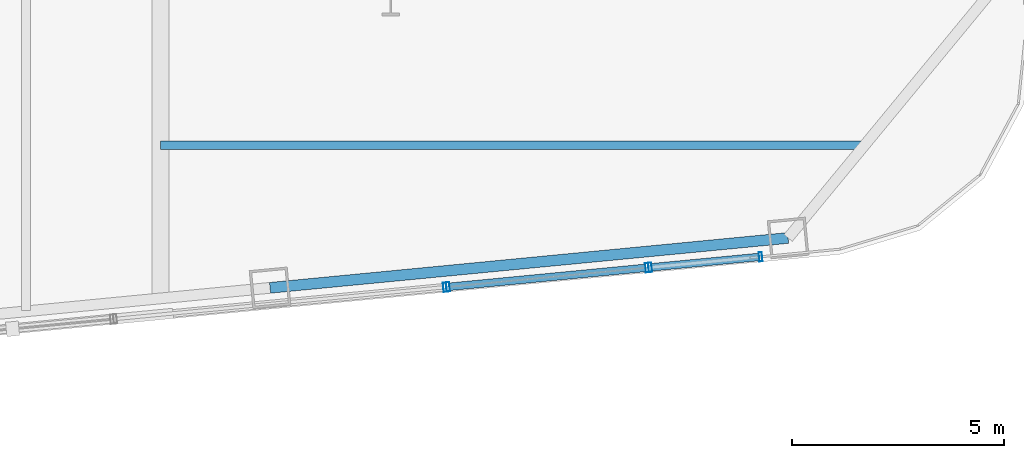
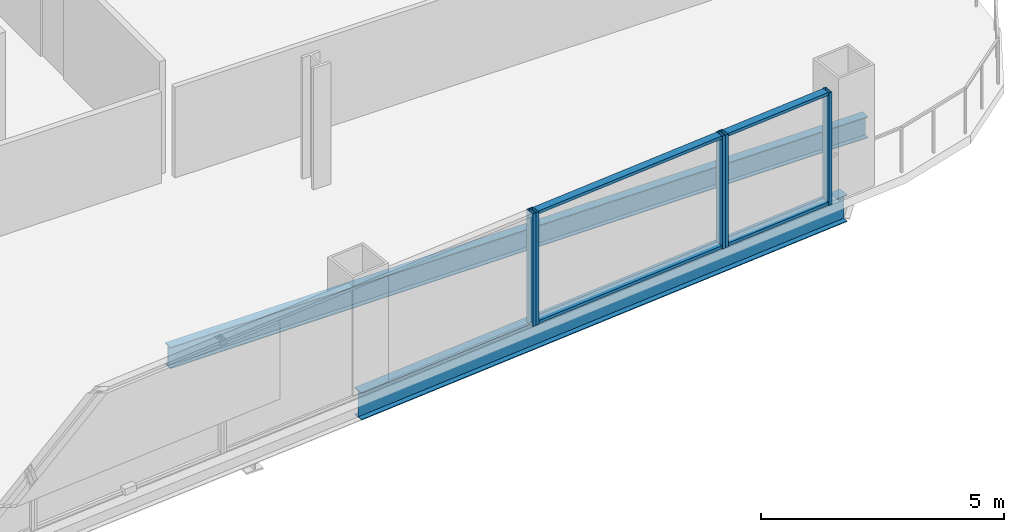
# One storey, part 9 of 27: 9 members, 2 beams, 3 elements without a shape of their own.
"""IFC4 building model written with IfcOpenShell, lengths in metres."""

from ifc_helpers import new_model, si_unit, direction, frame, origin, origin_2d, place, context, subcontext, project, spatial, hollow_rectangle, i_section, extrude, material, layer, layer_set, material_profile, profile_set, type_object, element, aggregate, save


model = new_model("IFC4")

# Units and contexts
model_context = context("Model", 3, precision=1e-05, world=origin(), true_north=direction((0.0, 1.0)))
body_context = subcontext(model_context, "Body", "Model", "MODEL_VIEW")
ifc_project = project(units=[si_unit("LENGTHUNIT", "METRE"), si_unit("AREAUNIT", "SQUARE_METRE"), si_unit("VOLUMEUNIT", "CUBIC_METRE"), si_unit("PLANEANGLEUNIT", "RADIAN"), si_unit("MASSUNIT", "GRAM", prefix="KILO")], contexts=[model_context])

# Site, building, storey
site_placement = place(None, origin())
site = spatial("IfcSite", under=ifc_project, at=site_placement, CompositionType="ELEMENT")
building_placement = place(site_placement, origin())
building = spatial("IfcBuilding", under=site, at=building_placement, Name="Qhalaya Broadcast Tower", CompositionType="ELEMENT")
storey_placement = place(building_placement, frame((0.0, 0.0, 75.550048828125)))
storey = spatial("IfcBuildingStorey", under=building, at=storey_placement, Name="L21", CompositionType="ELEMENT", Elevation=75.550048828125)

# Beams
ifc_material_1 = material(Name="Structural Steel ASTM A992 Grade 50", Category="steel")
ifc_material_profile_1 = material_profile(ifc_material_1, i_section(OverallWidth=0.2099609375, OverallDepth=0.535888671875, WebThickness=0.010986328125, FlangeThickness=0.017333984375, at=origin_2d()), Name="W21X68")
ifc_profile_set_1 = profile_set([ifc_material_profile_1], Name="Structural Steel ASTM A992 Grade 50")
beam_type_1 = type_object("IfcBeamType", Name="Composite Floor Joist J02", PredefinedType="JOIST", material=ifc_profile_set_1)
beam_1_placement = place(storey_placement, frame((9.375, -16.5, -0.488037109375), z_axis=(1.0, 0.0, 0.0), x_axis=(0.0, 1.0, 0.0)))
element("IfcBeam", 1, at=beam_1_placement, inside=storey, type_object=beam_type_1, Name="L21 J02 L21-JWE1E-1", PredefinedType="JOIST", context=body_context, shape_type="SweptSolid", body=[
    extrude(i_section(OverallWidth=0.2099609375, OverallDepth=0.535888671875, WebThickness=0.010986328125, FlangeThickness=0.017333984375, at=origin_2d()), origin(), (0.0, 0.0, 1.0), 16.56591796875),
])
ifc_material_profile_2 = material_profile(ifc_material_1, i_section(OverallWidth=0.25390625, OverallDepth=0.68310546875, WebThickness=0.012451171875, FlangeThickness=0.01904296875, at=origin_2d()), Name="W27X94")
ifc_profile_set_2 = profile_set([ifc_material_profile_2], Name="Structural Steel ASTM A992 Grade 50")
beam_type_2 = type_object("IfcBeamType", Name="Perimeter Ring Spandrel Beam SP1", PredefinedType="SPANDREL", material=ifc_profile_set_2)
beam_2_placement = place(storey_placement, frame((11.955078125, -19.861083984375, -0.5615234375), z_axis=(0.995397535354, 0.095831866369, 0.0), x_axis=(-0.095831866369, 0.995397535354, 0.0)))
element("IfcBeam", 2, at=beam_2_placement, inside=storey, type_object=beam_type_2, Name="L21 SP1 L21-SPR-03", PredefinedType="SPANDREL", context=body_context, shape_type="SweptSolid", body=[
    extrude(i_section(OverallWidth=0.25390625, OverallDepth=0.68310546875, WebThickness=0.012451171875, FlangeThickness=0.01904296875, at=origin_2d()), origin(), (0.0, 0.0, 1.0), 12.2666015625),
])

# Curtain wall, member
ifc_material_2 = material(Name="Fired Architectural Terracotta", Category="masonry")
ifc_layer_1 = layer(ifc_material_2, 0.219970703125, Name="Fired Architectural Terracotta")
ifc_layer_set_1 = layer_set([ifc_layer_1], Name="Fired Architectural Terracotta")
curtain_wall_type_1 = type_object("IfcCurtainWallType", Name="Block-Cap Unitised Terracotta Spandrel Wall CW-07", PredefinedType="NOTDEFINED", material=ifc_layer_set_1)
curtain_wall_1_placement = place(storey_placement, origin())
curtain_wall_1 = element("IfcCurtainWall", 3, at=curtain_wall_1_placement, inside=storey, type_object=curtain_wall_type_1, Name="L21 Unitised Curtain Wall L21-CW-S5", PredefinedType="NOTDEFINED")
ifc_material_3 = material(Name="Anodised Aluminium 6063-T6", Category="aluminium")
ifc_material_profile_3 = material_profile(ifc_material_3, hollow_rectangle(XDim=0.074951171875, YDim=0.219970703125, WallThickness=0.00390625, at=origin_2d()), Name="ALU-MUL 75x220x4")
ifc_profile_set_3 = profile_set([ifc_material_profile_3], Name="Anodised Aluminium 6063-T6")
member_type_1 = type_object("IfcMemberType", Name="Unitised Curtain-Wall Mullion M01", PredefinedType="MULLION", material=ifc_profile_set_3)
member_1_placement = place(storey_placement, frame((16.07568359375, -19.84619140625, 0.0), z_axis=(0.0, 0.0, 1.0), x_axis=(0.995396908899, 0.095838373083, 0.0)))
member_1 = element("IfcMember", 4, at=member_1_placement, type_object=member_type_1, Name="CW-07 mullion 2", PredefinedType="MULLION", context=body_context, shape_type="SweptSolid", body=[
    extrude(hollow_rectangle(XDim=0.074951171875, YDim=0.219970703125, WallThickness=0.00390625, at=origin_2d()), origin(), (0.0, 0.0, 1.0), 2.829833984375),
])
aggregate(curtain_wall_1, [member_1])

# Curtain wall, members
ifc_material_4 = material(Name="Solar-Control Low-E Triple Glazing", Category="glass")
ifc_layer_2 = layer(ifc_material_4, 0.219970703125, Name="Solar-Control Low-E Triple Glazing")
ifc_layer_set_2 = layer_set([ifc_layer_2], Name="Solar-Control Low-E Triple Glazing")
curtain_wall_type_2 = type_object("IfcCurtainWallType", Name="Even-Block 4-Storey Double-Module Curtain Wall CW-03", PredefinedType="NOTDEFINED", material=ifc_layer_set_2)
curtain_wall_2_placement = place(storey_placement, origin())
curtain_wall_2 = element("IfcCurtainWall", 5, at=curtain_wall_2_placement, inside=storey, type_object=curtain_wall_type_2, Name="L21 Unitised Curtain Wall L21-CW-S6", PredefinedType="NOTDEFINED")
member_2_placement = place(storey_placement, frame((16.150390625, -19.839111328125, 0.0), z_axis=(0.0, 0.0, 1.0), x_axis=(0.995394431952, 0.095864095672, 0.0)))
member_2 = element("IfcMember", 6, at=member_2_placement, type_object=member_type_1, Name="CW-03 mullion 1", PredefinedType="MULLION", context=body_context, shape_type="SweptSolid", body=[
    extrude(hollow_rectangle(XDim=0.074951171875, YDim=0.219970703125, WallThickness=0.00390625, at=origin_2d()), origin(), (0.0, 0.0, 1.0), 2.829833984375),
])
member_3_placement = place(storey_placement, frame((20.839599609375, -19.387451171875, 0.0), z_axis=(0.0, 0.0, 1.0), x_axis=(0.995394431952, 0.095864095672, 0.0)))
member_3 = element("IfcMember", 7, at=member_3_placement, type_object=member_type_1, Name="CW-03 mullion 2", PredefinedType="MULLION", context=body_context, shape_type="SweptSolid", body=[
    extrude(hollow_rectangle(XDim=0.074951171875, YDim=0.219970703125, WallThickness=0.00390625, at=origin_2d()), origin(), (0.0, 0.0, 1.0), 2.829833984375),
])

curtain_wall_3_placement = place(storey_placement, origin())
curtain_wall_3 = element("IfcCurtainWall", 8, at=curtain_wall_3_placement, inside=storey, type_object=curtain_wall_type_1, Name="L21 Unitised Curtain Wall L21-CW-S7", PredefinedType="NOTDEFINED")
member_4_placement = place(storey_placement, frame((20.914306640625, -19.380126953125, 0.0), z_axis=(0.0, 0.0, 1.0), x_axis=(0.995397375184, 0.095833530024, 0.0)))
member_4 = element("IfcMember", 9, at=member_4_placement, type_object=member_type_1, Name="CW-07 mullion 1", PredefinedType="MULLION", context=body_context, shape_type="SweptSolid", body=[
    extrude(hollow_rectangle(XDim=0.074951171875, YDim=0.219970703125, WallThickness=0.00390625, at=origin_2d()), origin(), (0.0, 0.0, 1.0), 2.829833984375),
])
member_5_placement = place(storey_placement, frame((23.517333984375, -19.129638671875, 0.0), z_axis=(0.0, 0.0, 1.0), x_axis=(0.995397375184, 0.095833530024, 0.0)))
member_5 = element("IfcMember", 10, at=member_5_placement, type_object=member_type_1, Name="CW-07 mullion 2", PredefinedType="MULLION", context=body_context, shape_type="SweptSolid", body=[
    extrude(hollow_rectangle(XDim=0.074951171875, YDim=0.219970703125, WallThickness=0.00390625, at=origin_2d()), origin(), (0.0, 0.0, 1.0), 2.829833984375),
])

# Member
ifc_material_profile_4 = material_profile(ifc_material_3, hollow_rectangle(XDim=0.074951171875, YDim=0.179931640625, WallThickness=0.00390625, at=origin_2d()), Name="ALU-TRN 75x180x4")
ifc_profile_set_4 = profile_set([ifc_material_profile_4], Name="Anodised Aluminium 6063-T6")
member_type_2 = type_object("IfcMemberType", Name="Unitised Curtain-Wall Transom T01", PredefinedType="USERDEFINED", material=ifc_profile_set_4)
member_6_placement = place(storey_placement, frame((16.187744140625, -19.83544921875, 0.037353515625), z_axis=(0.99539096807, 0.095900055704, 0.0), x_axis=(0.0, 0.0, 1.0)))
member_6 = element("IfcMember", 11, at=member_6_placement, type_object=member_type_2, Name="CW-03 transom 1.1", ObjectType="TRANSOM", PredefinedType="USERDEFINED", context=body_context, shape_type="SweptSolid", body=[
    extrude(hollow_rectangle(XDim=0.074951171875, YDim=0.179931640625, WallThickness=0.00390625, at=origin_2d()), origin(), (0.0, 0.0, 1.0), 4.635986328125),
])

member_7_placement = place(storey_placement, frame((16.187744140625, -19.83544921875, 2.79248046875), z_axis=(0.99539096807, 0.095900055704, 0.0), x_axis=(0.0, 0.0, 1.0)))
member_7 = element("IfcMember", 12, at=member_7_placement, type_object=member_type_2, Name="CW-03 transom 1.2", ObjectType="TRANSOM", PredefinedType="USERDEFINED", context=body_context, shape_type="SweptSolid", body=[
    extrude(hollow_rectangle(XDim=0.074951171875, YDim=0.179931640625, WallThickness=0.00390625, at=origin_2d()), origin(), (0.0, 0.0, 1.0), 4.635986328125),
])

aggregate(curtain_wall_2, [member_2, member_3, member_6, member_7])

member_8_placement = place(storey_placement, frame((20.95166015625, -19.376708984375, 0.037353515625), z_axis=(0.995397751495, 0.095829621306, 0.0), x_axis=(0.0, 0.0, 1.0)))
member_8 = element("IfcMember", 13, at=member_8_placement, type_object=member_type_2, Name="CW-07 transom 1.1", ObjectType="TRANSOM", PredefinedType="USERDEFINED", context=body_context, shape_type="SweptSolid", body=[
    extrude(hollow_rectangle(XDim=0.074951171875, YDim=0.179931640625, WallThickness=0.00390625, at=origin_2d()), origin(), (0.0, 0.0, 1.0), 2.5400390625),
])

member_9_placement = place(storey_placement, frame((20.95166015625, -19.376708984375, 2.79248046875), z_axis=(0.995397751495, 0.095829621306, 0.0), x_axis=(0.0, 0.0, 1.0)))
member_9 = element("IfcMember", 14, at=member_9_placement, type_object=member_type_2, Name="CW-07 transom 1.2", ObjectType="TRANSOM", PredefinedType="USERDEFINED", context=body_context, shape_type="SweptSolid", body=[
    extrude(hollow_rectangle(XDim=0.074951171875, YDim=0.179931640625, WallThickness=0.00390625, at=origin_2d()), origin(), (0.0, 0.0, 1.0), 2.5400390625),
])

aggregate(curtain_wall_3, [member_4, member_5, member_8, member_9])

save(model, "model.ifc")
